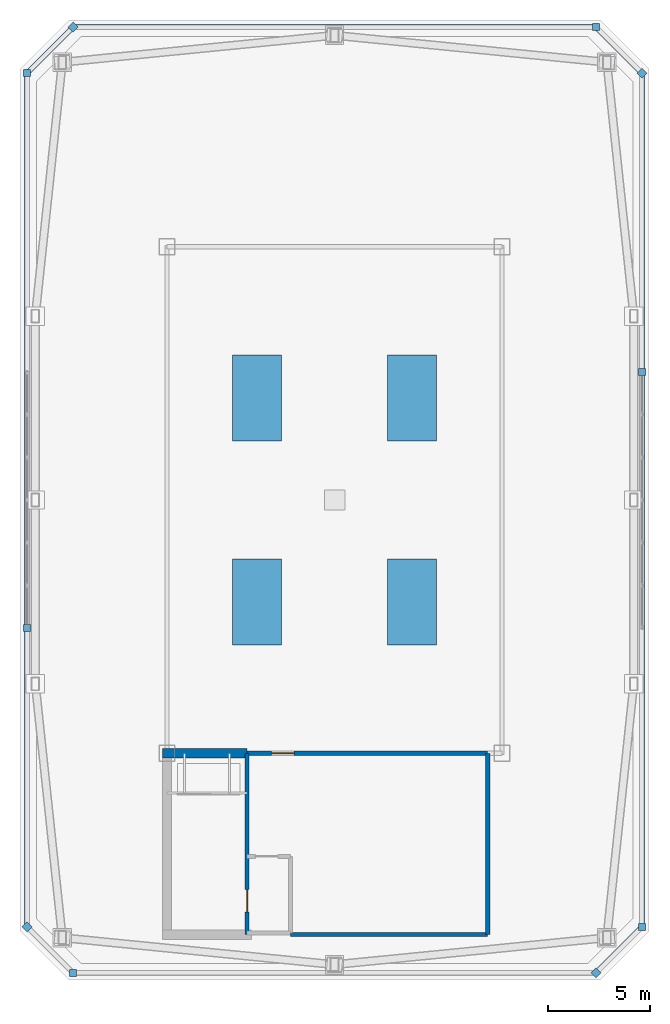
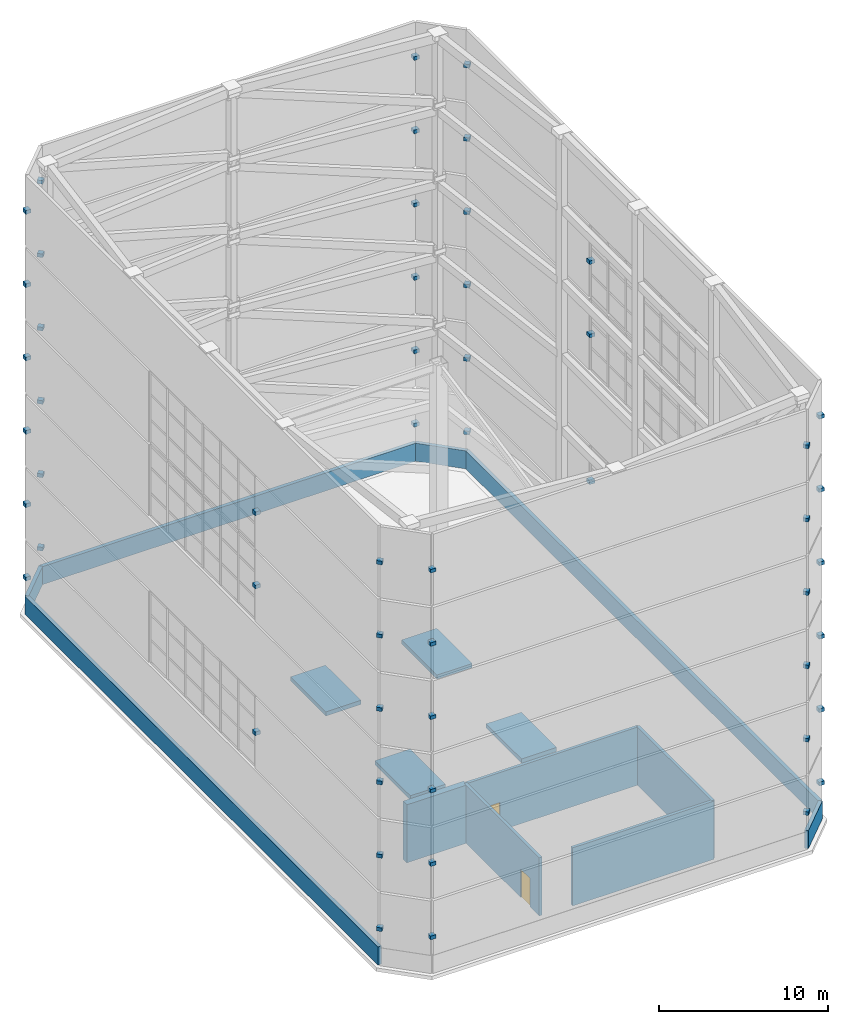
# One storey, part 46 of 47: 58 discrete accessories, 11 walls, 2 doors, 2 openings.
"""IFC4 building model written with IfcOpenShell, lengths in metres."""

from ifc_helpers import new_model, si_unit, direction, frame, frame_2d, origin, origin_2d, place, context, subcontext, project, spatial, rectangle, extrude, material, layer, layer_set, type_object, element, fill, save


model = new_model("IFC4")

# Units and contexts
model_context = context("Model", 3, precision=1e-05, world=origin(), true_north=direction((0.0, 1.0)))
body_context = subcontext(model_context, "Body", "Model", "MODEL_VIEW")
ifc_project = project(units=[si_unit("LENGTHUNIT", "METRE"), si_unit("AREAUNIT", "SQUARE_METRE"), si_unit("VOLUMEUNIT", "CUBIC_METRE"), si_unit("PLANEANGLEUNIT", "RADIAN"), si_unit("MASSUNIT", "GRAM", prefix="KILO")], contexts=[model_context])

# Site, building, storey
site_placement = place(None, origin())
site = spatial("IfcSite", under=ifc_project, at=site_placement, CompositionType="ELEMENT")
building_placement = place(site_placement, origin())
building = spatial("IfcBuilding", under=site, at=building_placement, Name="Qiaolan Cultural Towers", CompositionType="ELEMENT")
storey_placement = place(building_placement, frame((0.0, 0.0, 280.199951171875)))
storey = spatial("IfcBuildingStorey", under=building, at=storey_placement, Name="RF", CompositionType="ELEMENT", Elevation=280.199951171875)

# Wall
ifc_material_1 = material(Name="Concrete C50", Category="concrete")
ifc_layer_1 = layer(ifc_material_1, 0.449951171875)
ifc_layer_set_1 = layer_set([ifc_layer_1], Name="Concrete C50")
wall_type_1 = type_object("IfcWallType", Name="WL-CORE-450", PredefinedType="SHEAR", material=ifc_layer_set_1)
wall_1_placement = place(storey_placement, frame((21.574951171875, 21.60009765625, 0.0), z_axis=(0.0, 0.0, 1.0), x_axis=(1.0, 0.0, 0.0)))
element("IfcWall", 1, at=wall_1_placement, inside=storey, type_object=wall_type_1, Name="RF T1-CS Stair Front Shear Wall", PredefinedType="SHEAR", context=body_context, shape_type="SweptSolid", body=[
    extrude(rectangle(XDim=4.14501953125, YDim=0.449951171875, at=frame_2d((2.072509765625, 0.0))), origin(), (0.0, 0.0, 1.0), 4.199951171875),
])

# Wall, opening, door
ifc_material_2 = material(Name="Concrete C35 Fire Wall", Category="concrete")
ifc_layer_2 = layer(ifc_material_2, 0.199951171875)
ifc_layer_set_2 = layer_set([ifc_layer_2], Name="Concrete C35 Fire Wall")
wall_type_2 = type_object("IfcWallType", Name="WL-FIRE-200", PredefinedType="PARTITIONING", material=ifc_layer_set_2)
wall_2_placement = place(storey_placement, frame((25.719970703125, 21.60009765625, 0.0), z_axis=(0.0, 0.0, 1.0), x_axis=(1.0, 0.0, 0.0)))
wall_2 = element("IfcWall", 2, at=wall_2_placement, inside=storey, type_object=wall_type_2, Name="RF West Crown Plant South Wall", PredefinedType="PARTITIONING", context=body_context, shape_type="SweptSolid", body=[
    extrude(rectangle(XDim=11.780029296875, YDim=0.199951171875, at=frame_2d((5.89013671875, 0.0))), origin(), (0.0, 0.0, 1.0), 4.199951171875),
])
opening_1_placement = place(wall_2_placement, frame((1.199951171875, 0.0, 0.0)))
opening_1 = element("IfcOpeningElement", 3, at=opening_1_placement, cuts=wall_2, Name="Opening FD-04", PredefinedType="OPENING", context=body_context, shape_type="SweptSolid", body=[
    extrude(rectangle(XDim=1.10009765625, YDim=2.050048828125, at=frame_2d((0.550048828125, 1.02490234375))), frame((0.0, 0.10986328125, 0.0), z_axis=(0.0, -1.0, 0.0), x_axis=(1.0, 0.0, 0.0)), (0.0, 0.0, 1.0), 0.219970703125),
])
ifc_material_3 = material(Name="Galvanized Steel Command Fire Door", Category="steel")
door_type = type_object("IfcDoorType", Name="DR-FD90-1100", OperationType="NOTDEFINED", PredefinedType="DOOR", material=ifc_material_3)
door_1_placement = place(opening_1_placement, origin())
door_1 = element("IfcDoor", 4, at=door_1_placement, inside=storey, type_object=door_type, Name="RF West Crown Plant Room Access Door", OperationType="SINGLE_SWING_LEFT", OverallHeight=2.050048828125, OverallWidth=1.10009765625, PredefinedType="DOOR", context=body_context, shape_type="SweptSolid", body=[
    extrude(rectangle(XDim=1.10009765625, YDim=2.050048828125, at=frame_2d((0.550048828125, 1.02490234375))), frame((0.0, 0.02490234375, 0.0), z_axis=(0.0, -1.0, 0.0), x_axis=(1.0, 0.0, 0.0)), (0.0, 0.0, 1.0), 0.050048828125),
])
fill(opening_1, door_1)

wall_3_placement = place(storey_placement, frame((25.719970703125, 12.719970703125, 0.0), z_axis=(0.0, 0.0, 1.0), x_axis=(0.0, 1.0, 0.0)))
wall_3 = element("IfcWall", 5, at=wall_3_placement, inside=storey, type_object=wall_type_2, Name="RF Stair ST-W1 Summit East Exit Wall", PredefinedType="PARTITIONING", context=body_context, shape_type="SweptSolid", body=[
    extrude(rectangle(XDim=8.880126953125, YDim=0.199951171875, at=frame_2d((4.43994140625, 0.0))), origin(), (0.0, 0.0, 1.0), 4.199951171875),
])
opening_2_placement = place(wall_3_placement, frame((1.10009765625, 0.0, 0.0)))
opening_2 = element("IfcOpeningElement", 6, at=opening_2_placement, cuts=wall_3, Name="Opening FD-04", PredefinedType="OPENING", context=body_context, shape_type="SweptSolid", body=[
    extrude(rectangle(XDim=1.10009765625, YDim=2.050048828125, at=frame_2d((0.550048828125, 1.02490234375))), frame((0.0, 0.10986328125, 0.0), z_axis=(0.0, -1.0, 0.0), x_axis=(1.0, 0.0, 0.0)), (0.0, 0.0, 1.0), 0.219970703125),
])
door_2_placement = place(opening_2_placement, origin())
door_2 = element("IfcDoor", 7, at=door_2_placement, inside=storey, type_object=door_type, Name="RF Smokeproof Stair ST-W1 Summit Exit Door", OperationType="SINGLE_SWING_LEFT", OverallHeight=2.050048828125, OverallWidth=1.10009765625, PredefinedType="DOOR", context=body_context, shape_type="SweptSolid", body=[
    extrude(rectangle(XDim=1.10009765625, YDim=2.050048828125, at=frame_2d((0.550048828125, 1.02490234375))), frame((0.0, 0.02490234375, 0.0), z_axis=(0.0, -1.0, 0.0), x_axis=(1.0, 0.0, 0.0)), (0.0, 0.0, 1.0), 0.050048828125),
])
fill(opening_2, door_2)

# Walls
wall_4_placement = place(storey_placement, frame((37.5, 12.719970703125, 0.0), z_axis=(0.0, 0.0, 1.0), x_axis=(0.0, 1.0, 0.0)))
element("IfcWall", 8, at=wall_4_placement, inside=storey, type_object=wall_type_2, Name="RF Roof Core Lobby East Wall", PredefinedType="PARTITIONING", context=body_context, shape_type="SweptSolid", body=[
    extrude(rectangle(XDim=8.880126953125, YDim=0.199951171875, at=frame_2d((4.43994140625, 0.0))), origin(), (0.0, 0.0, 1.0), 4.199951171875),
])
wall_5_placement = place(storey_placement, frame((27.85009765625, 12.719970703125, 0.0), z_axis=(0.0, 0.0, 1.0), x_axis=(1.0, 0.0, 0.0)))
element("IfcWall", 9, at=wall_5_placement, inside=storey, type_object=wall_type_2, Name="RF Roof Core Lobby South Wall", PredefinedType="PARTITIONING", context=body_context, shape_type="SweptSolid", body=[
    extrude(rectangle(XDim=9.64990234375, YDim=0.199951171875, at=frame_2d((4.824951171875, 0.0))), origin(), (0.0, 0.0, 1.0), 4.199951171875),
])
ifc_material_4 = material(Name="Precast Concrete C45 Parapet Coping", Category="concrete")
ifc_layer_3 = layer(ifc_material_4, 0.25)
ifc_layer_set_3 = layer_set([ifc_layer_3], Name="Precast Concrete C45 Parapet Coping")
wall_type_3 = type_object("IfcWallType", Name="WL-PARAPET-250", PredefinedType="PARAPET", material=ifc_layer_set_3)
wall_6_placement = place(storey_placement, frame((42.800048828125, 10.85009765625, 0.0), z_axis=(0.0, 0.0, 1.0), x_axis=(0.707106781187, 0.707106781187, 0.0)))
element("IfcWall", 10, at=wall_6_placement, inside=storey, type_object=wall_type_3, Name="T1 Roof Perimeter Parapet Wall 2", PredefinedType="PARAPET", context=body_context, shape_type="SweptSolid", body=[
    extrude(rectangle(XDim=3.181884765625, YDim=0.25, at=frame_2d((1.5908203125, 0.0))), origin(), (0.0, 0.0, 1.0), 1.300048828125),
])
wall_7_placement = place(storey_placement, frame((45.050048828125, 13.10009765625, 0.0), z_axis=(0.0, 0.0, 1.0), x_axis=(0.0, 1.0, 0.0)))
element("IfcWall", 11, at=wall_7_placement, inside=storey, type_object=wall_type_3, Name="T1 Roof Perimeter Parapet Wall 3", PredefinedType="PARAPET", context=body_context, shape_type="SweptSolid", body=[
    extrude(rectangle(XDim=41.7998046875, YDim=0.25, at=frame_2d((20.89990234375, 0.0))), origin(), (0.0, 0.0, 1.0), 1.300048828125),
])
wall_8_placement = place(storey_placement, frame((45.050048828125, 54.89990234375, 0.0), z_axis=(0.0, 0.0, 1.0), x_axis=(-0.707106781187, 0.707106781187, 0.0)))
element("IfcWall", 12, at=wall_8_placement, inside=storey, type_object=wall_type_3, Name="T1 Roof Perimeter Parapet Wall 4", PredefinedType="PARAPET", context=body_context, shape_type="SweptSolid", body=[
    extrude(rectangle(XDim=3.181884765625, YDim=0.25, at=frame_2d((1.5908203125, 0.0))), origin(), (0.0, 0.0, 1.0), 1.300048828125),
])
wall_9_placement = place(storey_placement, frame((42.800048828125, 57.14990234375, 0.0), z_axis=(0.0, 0.0, 1.0), x_axis=(-1.0, 0.0, 0.0)))
element("IfcWall", 13, at=wall_9_placement, inside=storey, type_object=wall_type_3, Name="T1 Roof Perimeter Parapet Wall 5", PredefinedType="PARAPET", context=body_context, shape_type="SweptSolid", body=[
    extrude(rectangle(XDim=25.60009765625, YDim=0.25, at=frame_2d((12.800048828125, 0.0))), origin(), (0.0, 0.0, 1.0), 1.300048828125),
])
wall_10_placement = place(storey_placement, frame((17.199951171875, 57.14990234375, 0.0), z_axis=(0.0, 0.0, 1.0), x_axis=(-0.707106781187, -0.707106781187, 0.0)))
element("IfcWall", 14, at=wall_10_placement, inside=storey, type_object=wall_type_3, Name="T1 Roof Perimeter Parapet Wall 6", PredefinedType="PARAPET", context=body_context, shape_type="SweptSolid", body=[
    extrude(rectangle(XDim=3.181884765625, YDim=0.25, at=frame_2d((1.5908203125, 0.0))), origin(), (0.0, 0.0, 1.0), 1.300048828125),
])
wall_11_placement = place(storey_placement, frame((14.949951171875, 54.89990234375, 0.0), z_axis=(0.0, 0.0, 1.0), x_axis=(0.0, -1.0, 0.0)))
element("IfcWall", 15, at=wall_11_placement, inside=storey, type_object=wall_type_3, Name="T1 Roof Perimeter Parapet Wall 7", PredefinedType="PARAPET", context=body_context, shape_type="SweptSolid", body=[
    extrude(rectangle(XDim=41.7998046875, YDim=0.25, at=frame_2d((20.89990234375, 0.0))), origin(), (0.0, 0.0, 1.0), 1.300048828125),
])

# Discrete accessories
ifc_material_5 = material(Name="Stainless Steel S31608 Facade Anchor Bracket", Category="steel")
discrete_accessory_type_1 = type_object("IfcDiscreteAccessoryType", Name="ACC-BRK-SS", PredefinedType="BRACKET", material=ifc_material_5)
for number, where, z_axis, x_axis, name in (
    (16, (17.199951171875, 10.85009765625, 2.52001953125), (0.0, 0.0, 1.0), (1.0, 0.0, 0.0), "T1 Crown Louvre Support Bracket T1-1"),
    (17, (42.800048828125, 10.85009765625, 2.52001953125), (0.0, 0.0, 1.0), (0.707106781187, 0.707106781187, 0.0), "T1 Crown Louvre Support Bracket T1-2"),
    (18, (45.050048828125, 13.10009765625, 2.52001953125), (0.0, 0.0, 1.0), (0.0, 1.0, 0.0), "T1 Crown Louvre Support Bracket T1-3"),
    (19, (45.050048828125, 54.89990234375, 2.52001953125), (0.0, 0.0, 1.0), (-0.707106781187, 0.707106781187, 0.0), "T1 Crown Louvre Support Bracket T1-4"),
    (20, (42.800048828125, 57.14990234375, 2.52001953125), (0.0, 0.0, 1.0), (-1.0, 0.0, 0.0), "T1 Crown Louvre Support Bracket T1-5"),
    (21, (17.199951171875, 57.14990234375, 2.52001953125), (0.0, 0.0, 1.0), (-0.707106781187, -0.707106781187, 0.0), "T1 Crown Louvre Support Bracket T1-6"),
    (22, (14.949951171875, 54.89990234375, 2.52001953125), (0.0, 0.0, 1.0), (0.0, -1.0, 0.0), "T1 Crown Louvre Support Bracket T1-7"),
    (23, (14.949951171875, 13.10009765625, 2.52001953125), (0.0, 0.0, 1.0), (0.707106781187, -0.707106781187, 0.0), "T1 Crown Louvre Support Bracket T1-8"),
    (24, (17.199951171875, 10.85009765625, 7.81982421875), (0.0, 0.0, 1.0), (1.0, 0.0, 0.0), "T1 Crown Louvre Support Bracket T2-1"),
    (25, (42.800048828125, 10.85009765625, 7.81982421875), (0.0, 0.0, 1.0), (0.707106781187, 0.707106781187, 0.0), "T1 Crown Louvre Support Bracket T2-2"),
    (26, (45.050048828125, 13.10009765625, 7.81982421875), (0.0, 0.0, 1.0), (0.0, 1.0, 0.0), "T1 Crown Louvre Support Bracket T2-3L"),
    (27, (45.050048828125, 40.27001953125, 7.81982421875), (0.0, 0.0, 1.0), (0.0, 1.0, 0.0), "T1 Crown Louvre Support Bracket T2-3R"),
    (28, (45.050048828125, 54.89990234375, 7.81982421875), (0.0, 0.0, 1.0), (-0.707106781187, 0.707106781187, 0.0), "T1 Crown Louvre Support Bracket T2-4"),
    (29, (42.800048828125, 57.14990234375, 7.81982421875), (0.0, 0.0, 1.0), (-1.0, 0.0, 0.0), "T1 Crown Louvre Support Bracket T2-5"),
    (30, (17.199951171875, 57.14990234375, 7.81982421875), (0.0, 0.0, 1.0), (-0.707106781187, -0.707106781187, 0.0), "T1 Crown Louvre Support Bracket T2-6"),
    (31, (14.949951171875, 54.89990234375, 7.81982421875), (0.0, 0.0, 1.0), (0.0, -1.0, 0.0), "T1 Crown Louvre Support Bracket T2-7L"),
    (32, (14.949951171875, 27.72998046875, 7.81982421875), (0.0, 0.0, 1.0), (0.0, -1.0, 0.0), "T1 Crown Louvre Support Bracket T2-7R"),
    (33, (14.949951171875, 13.10009765625, 7.81982421875), (0.0, 0.0, 1.0), (0.707106781187, -0.707106781187, 0.0), "T1 Crown Louvre Support Bracket T2-8"),
    (34, (17.199951171875, 10.85009765625, 13.1201171875), (0.0, 0.0, 1.0), (1.0, 0.0, 0.0), "T1 Crown Louvre Support Bracket T3-1"),
    (35, (42.800048828125, 10.85009765625, 13.1201171875), (0.0, 0.0, 1.0), (0.707106781187, 0.707106781187, 0.0), "T1 Crown Louvre Support Bracket T3-2"),
    (36, (45.050048828125, 13.10009765625, 13.1201171875), (0.0, 0.0, 1.0), (0.0, 1.0, 0.0), "T1 Crown Louvre Support Bracket T3-3"),
    (37, (45.050048828125, 54.89990234375, 13.1201171875), (0.0, 0.0, 1.0), (-0.707106781187, 0.707106781187, 0.0), "T1 Crown Louvre Support Bracket T3-4"),
    (38, (42.800048828125, 57.14990234375, 13.1201171875), (0.0, 0.0, 1.0), (-1.0, 0.0, 0.0), "T1 Crown Louvre Support Bracket T3-5"),
    (39, (17.199951171875, 57.14990234375, 13.1201171875), (0.0, 0.0, 1.0), (-0.707106781187, -0.707106781187, 0.0), "T1 Crown Louvre Support Bracket T3-6"),
    (40, (14.949951171875, 54.89990234375, 13.1201171875), (0.0, 0.0, 1.0), (0.0, -1.0, 0.0), "T1 Crown Louvre Support Bracket T3-7"),
    (41, (14.949951171875, 13.10009765625, 13.1201171875), (0.0, 0.0, 1.0), (0.707106781187, -0.707106781187, 0.0), "T1 Crown Louvre Support Bracket T3-8"),
    (42, (17.199951171875, 10.85009765625, 18.419921875), (0.0, 0.0, 1.0), (1.0, 0.0, 0.0), "T1 Crown Louvre Support Bracket T4-1"),
    (43, (42.800048828125, 10.85009765625, 18.419921875), (0.0, 0.0, 1.0), (0.707106781187, 0.707106781187, 0.0), "T1 Crown Louvre Support Bracket T4-2"),
    (44, (45.050048828125, 13.10009765625, 18.419921875), (0.0, 0.0, 1.0), (0.0, 1.0, 0.0), "T1 Crown Louvre Support Bracket T4-3L"),
    (45, (45.050048828125, 40.27001953125, 18.419921875), (0.0, 0.0, 1.0), (0.0, 1.0, 0.0), "T1 Crown Louvre Support Bracket T4-3R"),
    (46, (45.050048828125, 54.89990234375, 18.419921875), (0.0, 0.0, 1.0), (-0.707106781187, 0.707106781187, 0.0), "T1 Crown Louvre Support Bracket T4-4"),
    (47, (42.800048828125, 57.14990234375, 18.419921875), (0.0, 0.0, 1.0), (-1.0, 0.0, 0.0), "T1 Crown Louvre Support Bracket T4-5"),
    (48, (17.199951171875, 57.14990234375, 18.419921875), (0.0, 0.0, 1.0), (-0.707106781187, -0.707106781187, 0.0), "T1 Crown Louvre Support Bracket T4-6"),
    (49, (14.949951171875, 54.89990234375, 18.419921875), (0.0, 0.0, 1.0), (0.0, -1.0, 0.0), "T1 Crown Louvre Support Bracket T4-7L"),
    (50, (14.949951171875, 27.72998046875, 18.419921875), (0.0, 0.0, 1.0), (0.0, -1.0, 0.0), "T1 Crown Louvre Support Bracket T4-7R"),
    (51, (14.949951171875, 13.10009765625, 18.419921875), (0.0, 0.0, 1.0), (0.707106781187, -0.707106781187, 0.0), "T1 Crown Louvre Support Bracket T4-8"),
    (52, (17.199951171875, 10.85009765625, 23.72021484375), (0.0, 0.0, 1.0), (1.0, 0.0, 0.0), "T1 Crown Louvre Support Bracket T5-1"),
    (53, (42.800048828125, 10.85009765625, 23.72021484375), (0.0, 0.0, 1.0), (0.707106781187, 0.707106781187, 0.0), "T1 Crown Louvre Support Bracket T5-2"),
    (54, (45.050048828125, 13.10009765625, 23.72021484375), (0.0, 0.0, 1.0), (0.0, 1.0, 0.0), "T1 Crown Louvre Support Bracket T5-3L"),
    (55, (45.050048828125, 40.27001953125, 23.72021484375), (0.0, 0.0, 1.0), (0.0, 1.0, 0.0), "T1 Crown Louvre Support Bracket T5-3R"),
    (56, (45.050048828125, 54.89990234375, 23.72021484375), (0.0, 0.0, 1.0), (-0.707106781187, 0.707106781187, 0.0), "T1 Crown Louvre Support Bracket T5-4"),
    (57, (42.800048828125, 57.14990234375, 23.72021484375), (0.0, 0.0, 1.0), (-1.0, 0.0, 0.0), "T1 Crown Louvre Support Bracket T5-5"),
    (58, (17.199951171875, 57.14990234375, 23.72021484375), (0.0, 0.0, 1.0), (-0.707106781187, -0.707106781187, 0.0), "T1 Crown Louvre Support Bracket T5-6"),
    (59, (14.949951171875, 54.89990234375, 23.72021484375), (0.0, 0.0, 1.0), (0.0, -1.0, 0.0), "T1 Crown Louvre Support Bracket T5-7L"),
    (60, (14.949951171875, 27.72998046875, 23.72021484375), (0.0, 0.0, 1.0), (0.0, -1.0, 0.0), "T1 Crown Louvre Support Bracket T5-7R"),
    (61, (14.949951171875, 13.10009765625, 23.72021484375), (0.0, 0.0, 1.0), (0.707106781187, -0.707106781187, 0.0), "T1 Crown Louvre Support Bracket T5-8"),
    (62, (17.199951171875, 10.85009765625, 29.02001953125), (0.0, 0.0, 1.0), (1.0, 0.0, 0.0), "T1 Crown Louvre Support Bracket T6-1"),
    (63, (42.800048828125, 10.85009765625, 29.02001953125), (0.0, 0.0, 1.0), (0.707106781187, 0.707106781187, 0.0), "T1 Crown Louvre Support Bracket T6-2"),
    (64, (45.050048828125, 13.10009765625, 29.02001953125), (0.0, 0.0, 1.0), (0.0, 1.0, 0.0), "T1 Crown Louvre Support Bracket T6-3"),
    (65, (45.050048828125, 54.89990234375, 29.02001953125), (0.0, 0.0, 1.0), (-0.707106781187, 0.707106781187, 0.0), "T1 Crown Louvre Support Bracket T6-4"),
    (66, (42.800048828125, 57.14990234375, 29.02001953125), (0.0, 0.0, 1.0), (-1.0, 0.0, 0.0), "T1 Crown Louvre Support Bracket T6-5"),
    (67, (17.199951171875, 57.14990234375, 29.02001953125), (0.0, 0.0, 1.0), (-0.707106781187, -0.707106781187, 0.0), "T1 Crown Louvre Support Bracket T6-6"),
    (68, (14.949951171875, 54.89990234375, 29.02001953125), (0.0, 0.0, 1.0), (0.0, -1.0, 0.0), "T1 Crown Louvre Support Bracket T6-7"),
    (69, (14.949951171875, 13.10009765625, 29.02001953125), (0.0, 0.0, 1.0), (0.707106781187, -0.707106781187, 0.0), "T1 Crown Louvre Support Bracket T6-8"),
):
    element("IfcDiscreteAccessory", number, at=place(storey_placement, frame(where, z_axis=z_axis, x_axis=x_axis)), inside=storey, type_object=discrete_accessory_type_1, Name=name, PredefinedType="BRACKET", context=body_context, shape_type="SweptSolid", body=[
        extrude(rectangle(XDim=0.35009765625, YDim=0.35009765625, at=origin_2d()), origin(), (0.0, 0.0, 1.0), 0.260009765625),
    ])
ifc_material_6 = material(Name="Concrete C35 Acoustic Equipment Inertia Plinth", Category="concrete")
discrete_accessory_type_2 = type_object("IfcDiscreteAccessoryType", Name="ACC-MEP-SKID", PredefinedType="USERDEFINED", material=ifc_material_6)
for number, where, z_axis, x_axis, name in (
    (70, (26.199951171875, 29.0, 0.0), (0.0, 0.0, 1.0), (1.0, 0.0, 0.0), "T1 Crown Heat-Recovery Chiller Inertia Plinth"),
    (71, (33.800048828125, 29.0, 0.0), (0.0, 0.0, 1.0), (1.0, 0.0, 0.0), "T1 Crown Cooling Tower Acoustic Plinth"),
    (72, (26.199951171875, 39.0, 0.0), (0.0, 0.0, 1.0), (1.0, 0.0, 0.0), "T1 Crown Lift Machine & Pressurization Fan Plinth"),
    (73, (33.800048828125, 39.0, 0.0), (0.0, 0.0, 1.0), (1.0, 0.0, 0.0), "T1 Crown Emergency Smoke-Extract Fan Plinth"),
):
    element("IfcDiscreteAccessory", number, at=place(storey_placement, frame(where, z_axis=z_axis, x_axis=x_axis)), inside=storey, type_object=discrete_accessory_type_2, Name=name, ObjectType="EQUIPMENT_PLINTH", PredefinedType="USERDEFINED", context=body_context, shape_type="SweptSolid", body=[
        extrude(rectangle(XDim=2.39990234375, YDim=4.199951171875, at=origin_2d()), origin(), (0.0, 0.0, 1.0), 0.300048828125),
    ])

save(model, "model.ifc")
